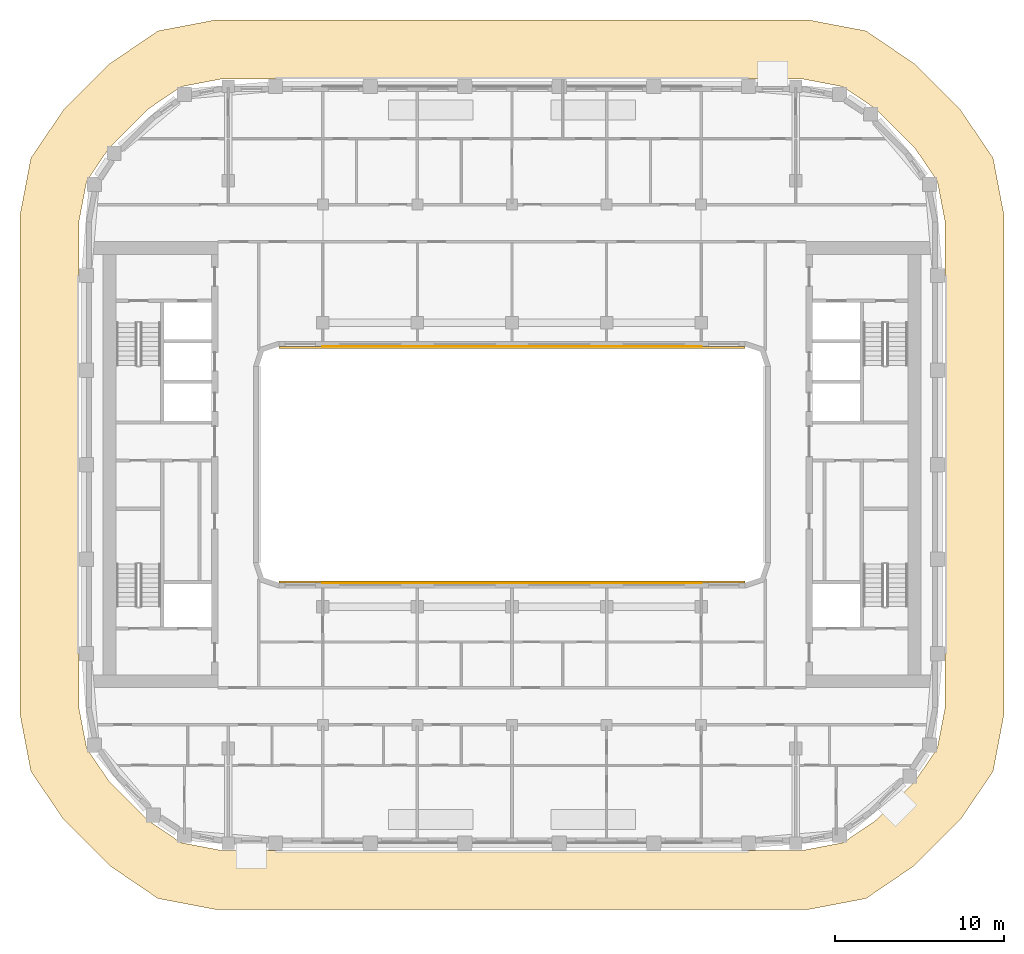
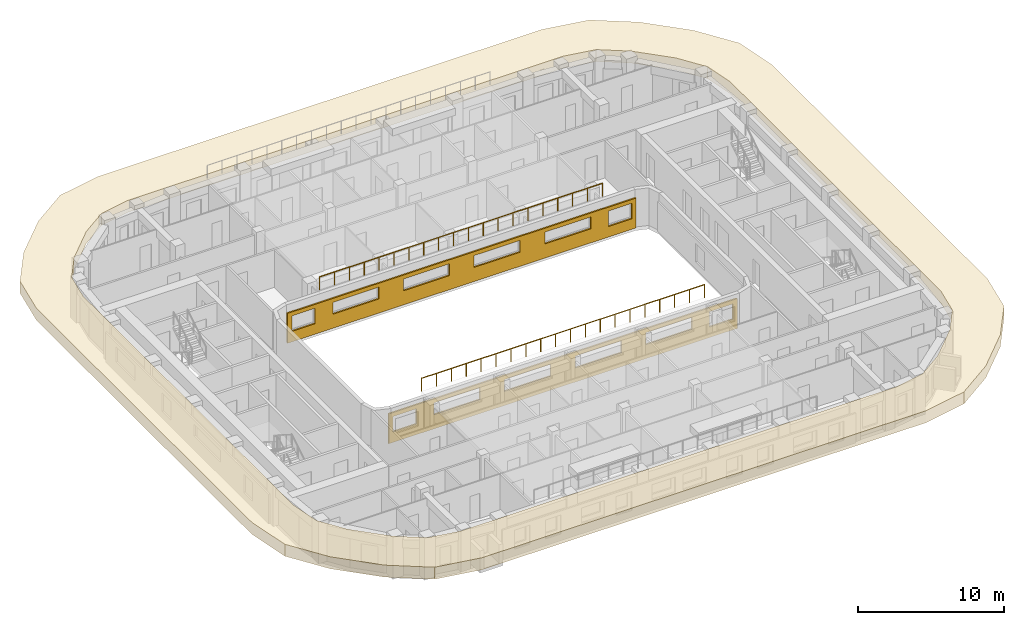
# One storey, part 13 of 16: 3 coverings, 2 railings.
"""IFC4 building model written with IfcOpenShell, lengths in metres."""

from ifc_helpers import new_model, si_unit, direction, frame, origin, origin_2d, place, context, subcontext, project, spatial, polyline, circle, outline, extrude, material, layer, layer_set, type_object, element, save


model = new_model("IFC4")

# Units and contexts
model_context = context("Model", 3, precision=1e-05, world=origin(), true_north=direction((0.0, 1.0)))
body_context = subcontext(model_context, "Body", "Model", "MODEL_VIEW")
ifc_project = project(units=[si_unit("LENGTHUNIT", "METRE"), si_unit("AREAUNIT", "SQUARE_METRE"), si_unit("VOLUMEUNIT", "CUBIC_METRE"), si_unit("PLANEANGLEUNIT", "RADIAN"), si_unit("MASSUNIT", "GRAM", prefix="KILO")], contexts=[model_context])

# Site, building, storey
site_placement = place(None, origin())
site = spatial("IfcSite", under=ifc_project, at=site_placement, CompositionType="ELEMENT")
building_placement = place(site_placement, origin())
building = spatial("IfcBuilding", under=site, at=building_placement, Name="Kiln Ring Residences", CompositionType="ELEMENT")
storey_placement = place(building_placement, frame((0.0, 0.0, 227.39990234375)))
storey = spatial("IfcBuildingStorey", under=building, at=storey_placement, Name="L59", CompositionType="ELEMENT", Elevation=227.39990234375)

# Coverings
ifc_material_1 = material(Name="Brick masonry, dark clay brick", Category="masonry")
ifc_layer_1 = layer(ifc_material_1, 0.1201171875)
ifc_layer_set_1 = layer_set([ifc_layer_1], Name="RAINSCREEN PANEL 120")
covering_type_1 = type_object("IfcCoveringType", Name="RAINSCREEN PANEL 120", PredefinedType="CLADDING", material=ifc_layer_set_1)
for number, where, z_axis, x_axis, name in (
    (1, (-13.800048828125, 6.93994140625, 0.0), (0.0, 0.0, 1.0), (1.0, 0.0, 0.0), "RAINSCREEN L59"),
    (2, (13.800048828125, -6.93994140625, 0.0), (0.0, 0.0, 1.0), (-1.0, 0.0, 0.0), "RAINSCREEN L59"),
):
    element("IfcCovering", number, at=place(storey_placement, frame(where, z_axis=z_axis, x_axis=x_axis)), inside=storey, type_object=covering_type_1, Name=name, PredefinedType="CLADDING", context=body_context, shape_type="SweptSolid", body=[
        extrude(outline(polyline([(0.0, 0.0), (27.60009765625, 0.0), (27.60009765625, 2.5), (0.0, 2.5), (0.0, 0.0)]), holes=[polyline([(2.1826171875, 0.880126953125), (2.1826171875, 2.170166015625), (0.342529296875, 2.170166015625), (0.342529296875, 0.880126953125), (2.1826171875, 0.880126953125)]), polyline([(25.41748046875, 0.880126953125), (27.257568359375, 0.880126953125), (27.257568359375, 2.170166015625), (25.41748046875, 2.170166015625), (25.41748046875, 0.880126953125)]), polyline([(3.580078125, 1.18017578125), (7.219970703125, 1.18017578125), (7.219970703125, 2.170166015625), (3.580078125, 2.170166015625), (3.580078125, 1.18017578125)]), polyline([(12.820068359375, 1.18017578125), (12.820068359375, 2.170166015625), (9.179931640625, 2.170166015625), (9.179931640625, 1.18017578125), (12.820068359375, 1.18017578125)]), polyline([(14.780029296875, 1.18017578125), (18.419921875, 1.18017578125), (18.419921875, 2.170166015625), (14.780029296875, 2.170166015625), (14.780029296875, 1.18017578125)]), polyline([(20.3798828125, 1.18017578125), (24.02001953125, 1.18017578125), (24.02001953125, 2.170166015625), (20.3798828125, 2.170166015625), (20.3798828125, 1.18017578125)])]), frame((0.0, 0.06005859375, 0.0), z_axis=(0.0, -1.0, 0.0), x_axis=(1.0, 0.0, 0.0)), (0.0, 0.0, 1.0), 0.1201171875),
    ])

# Railings
ifc_material_2 = material(Name="Black powder-coated steel", Category="steel")
railing_type = type_object("IfcRailingType", Name="ROOF GUARD 1100", PredefinedType="GUARDRAIL", material=ifc_material_2)
railing_1_placement = place(storey_placement, frame((-11.199951171875, 7.0, 3.5)))
element("IfcRailing", 3, at=railing_1_placement, inside=storey, type_object=railing_type, Name="GUARD L59 sky portal terrace", PredefinedType="GUARDRAIL", context=body_context, shape_type="SweptSolid", body=[
    extrude(circle(Radius=0.02392578125, at=origin_2d()), frame((0.0, 0.0, 1.076171875), z_axis=(1.0, 0.0, 0.0), x_axis=(0.0, 1.0, 0.0)), (0.0, 0.0, 1.0), 22.39990234375),
    extrude(circle(Radius=0.02099609375, at=origin_2d()), origin(), (0.0, 0.0, 1.0), 1.052001953125),
    extrude(circle(Radius=0.02099609375, at=origin_2d()), frame((1.178955078125, 0.0, 0.0)), (0.0, 0.0, 1.0), 1.052001953125),
    extrude(circle(Radius=0.02099609375, at=origin_2d()), frame((2.35791015625, 0.0, 0.0)), (0.0, 0.0, 1.0), 1.052001953125),
    extrude(circle(Radius=0.02099609375, at=origin_2d()), frame((3.536865234375, 0.0, 0.0)), (0.0, 0.0, 1.0), 1.052001953125),
    extrude(circle(Radius=0.02099609375, at=origin_2d()), frame((4.7158203125, 0.0, 0.0)), (0.0, 0.0, 1.0), 1.052001953125),
    extrude(circle(Radius=0.02099609375, at=origin_2d()), frame((5.894775390625, 0.0, 0.0)), (0.0, 0.0, 1.0), 1.052001953125),
    extrude(circle(Radius=0.02099609375, at=origin_2d()), frame((7.07373046875, 0.0, 0.0)), (0.0, 0.0, 1.0), 1.052001953125),
    extrude(circle(Radius=0.02099609375, at=origin_2d()), frame((8.252685546875, 0.0, 0.0)), (0.0, 0.0, 1.0), 1.052001953125),
    extrude(circle(Radius=0.02099609375, at=origin_2d()), frame((9.431640625, 0.0, 0.0)), (0.0, 0.0, 1.0), 1.052001953125),
    extrude(circle(Radius=0.02099609375, at=origin_2d()), frame((10.610595703125, 0.0, 0.0)), (0.0, 0.0, 1.0), 1.052001953125),
    extrude(circle(Radius=0.02099609375, at=origin_2d()), frame((11.789306640625, 0.0, 0.0)), (0.0, 0.0, 1.0), 1.052001953125),
    extrude(circle(Radius=0.02099609375, at=origin_2d()), frame((12.96826171875, 0.0, 0.0)), (0.0, 0.0, 1.0), 1.052001953125),
    extrude(circle(Radius=0.02099609375, at=origin_2d()), frame((14.147216796875, 0.0, 0.0)), (0.0, 0.0, 1.0), 1.052001953125),
    extrude(circle(Radius=0.02099609375, at=origin_2d()), frame((15.326171875, 0.0, 0.0)), (0.0, 0.0, 1.0), 1.052001953125),
    extrude(circle(Radius=0.02099609375, at=origin_2d()), frame((16.505126953125, 0.0, 0.0)), (0.0, 0.0, 1.0), 1.052001953125),
    extrude(circle(Radius=0.02099609375, at=origin_2d()), frame((17.68408203125, 0.0, 0.0)), (0.0, 0.0, 1.0), 1.052001953125),
    extrude(circle(Radius=0.02099609375, at=origin_2d()), frame((18.863037109375, 0.0, 0.0)), (0.0, 0.0, 1.0), 1.052001953125),
    extrude(circle(Radius=0.02099609375, at=origin_2d()), frame((20.0419921875, 0.0, 0.0)), (0.0, 0.0, 1.0), 1.052001953125),
    extrude(circle(Radius=0.02099609375, at=origin_2d()), frame((21.220947265625, 0.0, 0.0)), (0.0, 0.0, 1.0), 1.052001953125),
    extrude(circle(Radius=0.02099609375, at=origin_2d()), frame((22.39990234375, 0.0, 0.0)), (0.0, 0.0, 1.0), 1.052001953125),
])
railing_2_placement = place(storey_placement, frame((11.199951171875, -7.0, 3.5)))
element("IfcRailing", 4, at=railing_2_placement, inside=storey, type_object=railing_type, Name="GUARD L59 sky portal terrace", PredefinedType="GUARDRAIL", context=body_context, shape_type="SweptSolid", body=[
    extrude(circle(Radius=0.02392578125, at=origin_2d()), frame((0.0, 0.0, 1.076171875), z_axis=(-1.0, 0.0, 0.0), x_axis=(0.0, -1.0, 0.0)), (0.0, 0.0, 1.0), 22.39990234375),
    extrude(circle(Radius=0.02099609375, at=origin_2d()), origin(), (0.0, 0.0, 1.0), 1.052001953125),
    extrude(circle(Radius=0.02099609375, at=origin_2d()), frame((-1.178955078125, 0.0, 0.0)), (0.0, 0.0, 1.0), 1.052001953125),
    extrude(circle(Radius=0.02099609375, at=origin_2d()), frame((-2.35791015625, 0.0, 0.0)), (0.0, 0.0, 1.0), 1.052001953125),
    extrude(circle(Radius=0.02099609375, at=origin_2d()), frame((-3.536865234375, 0.0, 0.0)), (0.0, 0.0, 1.0), 1.052001953125),
    extrude(circle(Radius=0.02099609375, at=origin_2d()), frame((-4.7158203125, 0.0, 0.0)), (0.0, 0.0, 1.0), 1.052001953125),
    extrude(circle(Radius=0.02099609375, at=origin_2d()), frame((-5.894775390625, 0.0, 0.0)), (0.0, 0.0, 1.0), 1.052001953125),
    extrude(circle(Radius=0.02099609375, at=origin_2d()), frame((-7.07373046875, 0.0, 0.0)), (0.0, 0.0, 1.0), 1.052001953125),
    extrude(circle(Radius=0.02099609375, at=origin_2d()), frame((-8.252685546875, 0.0, 0.0)), (0.0, 0.0, 1.0), 1.052001953125),
    extrude(circle(Radius=0.02099609375, at=origin_2d()), frame((-9.431640625, 0.0, 0.0)), (0.0, 0.0, 1.0), 1.052001953125),
    extrude(circle(Radius=0.02099609375, at=origin_2d()), frame((-10.610595703125, 0.0, 0.0)), (0.0, 0.0, 1.0), 1.052001953125),
    extrude(circle(Radius=0.02099609375, at=origin_2d()), frame((-11.789306640625, 0.0, 0.0)), (0.0, 0.0, 1.0), 1.052001953125),
    extrude(circle(Radius=0.02099609375, at=origin_2d()), frame((-12.96826171875, 0.0, 0.0)), (0.0, 0.0, 1.0), 1.052001953125),
    extrude(circle(Radius=0.02099609375, at=origin_2d()), frame((-14.147216796875, 0.0, 0.0)), (0.0, 0.0, 1.0), 1.052001953125),
    extrude(circle(Radius=0.02099609375, at=origin_2d()), frame((-15.326171875, 0.0, 0.0)), (0.0, 0.0, 1.0), 1.052001953125),
    extrude(circle(Radius=0.02099609375, at=origin_2d()), frame((-16.505126953125, 0.0, 0.0)), (0.0, 0.0, 1.0), 1.052001953125),
    extrude(circle(Radius=0.02099609375, at=origin_2d()), frame((-17.68408203125, 0.0, 0.0)), (0.0, 0.0, 1.0), 1.052001953125),
    extrude(circle(Radius=0.02099609375, at=origin_2d()), frame((-18.863037109375, 0.0, 0.0)), (0.0, 0.0, 1.0), 1.052001953125),
    extrude(circle(Radius=0.02099609375, at=origin_2d()), frame((-20.0419921875, 0.0, 0.0)), (0.0, 0.0, 1.0), 1.052001953125),
    extrude(circle(Radius=0.02099609375, at=origin_2d()), frame((-21.220947265625, 0.0, 0.0)), (0.0, 0.0, 1.0), 1.052001953125),
    extrude(circle(Radius=0.02099609375, at=origin_2d()), frame((-22.39990234375, 0.0, 0.0)), (0.0, 0.0, 1.0), 1.052001953125),
])

# Covering
ifc_material_3 = material(Name="Black powder-coated steel", Category="steel")
ifc_layer_2 = layer(ifc_material_3, 1.0)
ifc_layer_set_2 = layer_set([ifc_layer_2], Name="SUNSHADE FIN 3500")
covering_type_2 = type_object("IfcCoveringType", Name="SUNSHADE FIN 3500", PredefinedType="CLADDING", material=ifc_layer_set_2)
covering_placement = place(storey_placement, frame((0.0, 0.0, 2.5)))
element("IfcCovering", 5, at=covering_placement, inside=storey, type_object=covering_type_2, Name="SUNSHADE FIN L59", PredefinedType="CLADDING", context=body_context, shape_type="SweptSolid", body=[
    extrude(outline(polyline([(-28.47900390625, -18.158203125), (-26.540771484375, -21.010009765625), (-23.81005859375, -23.74072265625), (-20.958251953125, -25.678955078125), (-17.571044921875, -26.324951171875), (17.571044921875, -26.324951171875), (20.958251953125, -25.678955078125), (23.81005859375, -23.74072265625), (26.540771484375, -21.010009765625), (28.47900390625, -18.158203125), (29.125, -14.77099609375), (29.125, 14.77099609375), (28.47900390625, 18.158203125), (26.540771484375, 21.010009765625), (23.81005859375, 23.74072265625), (20.958251953125, 25.678955078125), (17.571044921875, 26.324951171875), (-17.571044921875, 26.324951171875), (-20.958251953125, 25.678955078125), (-23.81005859375, 23.74072265625), (-26.540771484375, 21.010009765625), (-28.47900390625, 18.158203125), (-29.125, 14.77099609375), (-29.125, -14.77099609375), (-28.47900390625, -18.158203125)]), holes=[polyline([(-21.569091796875, -21.031982421875), (-23.831787109375, -18.769287109375), (-25.1767578125, -16.790283203125), (-25.625, -14.440185546875), (-25.625, 14.440185546875), (-25.1767578125, 16.790283203125), (-23.831787109375, 18.769287109375), (-21.569091796875, 21.031982421875), (-19.59033203125, 22.376708984375), (-17.240234375, 22.824951171875), (17.240234375, 22.824951171875), (19.59033203125, 22.376708984375), (21.569091796875, 21.031982421875), (23.831787109375, 18.769287109375), (25.1767578125, 16.790283203125), (25.625, 14.440185546875), (25.625, -14.440185546875), (25.1767578125, -16.790283203125), (23.831787109375, -18.769287109375), (21.569091796875, -21.031982421875), (19.59033203125, -22.376708984375), (17.240234375, -22.824951171875), (-17.240234375, -22.824951171875), (-19.59033203125, -22.376708984375), (-21.569091796875, -21.031982421875)])]), origin(), (0.0, 0.0, 1.0), 1.0),
])

save(model, "model.ifc")
